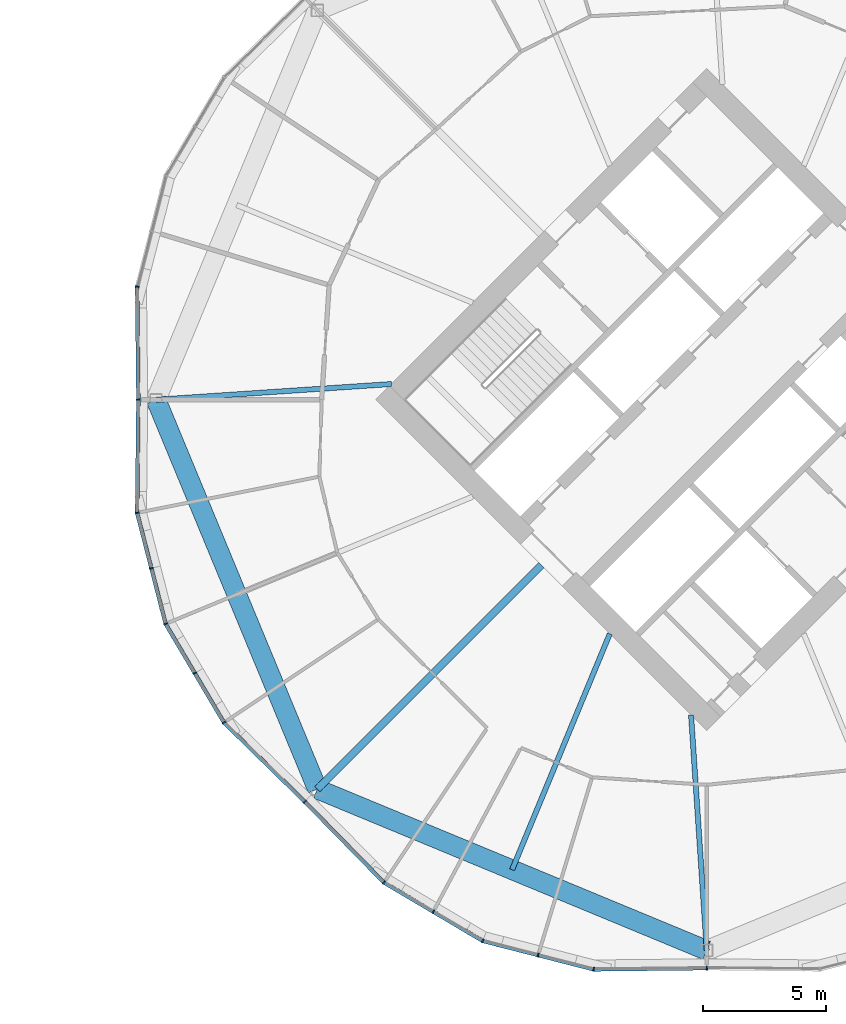
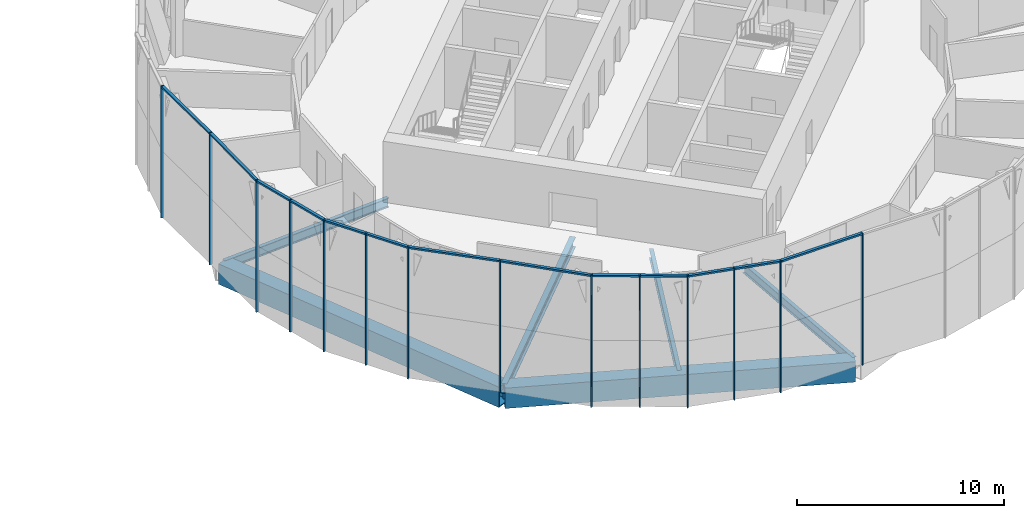
# One storey, part 10 of 27: 27 members, 6 beams, 3 elements without a shape of their own.
"""IFC4 building model written with IfcOpenShell, lengths in metres."""

from ifc_helpers import new_model, si_unit, direction, frame, origin, origin_2d, place, context, subcontext, project, spatial, rectangle, hollow_rectangle, i_section, extrude, material, material_profile, profile_set, type_object, element, aggregate, save


model = new_model("IFC4")

# Units and contexts
model_context = context("Model", 3, precision=1e-05, world=origin(), true_north=direction((0.0, 1.0)))
body_context = subcontext(model_context, "Body", "Model", "MODEL_VIEW")
ifc_project = project(units=[si_unit("LENGTHUNIT", "METRE"), si_unit("AREAUNIT", "SQUARE_METRE"), si_unit("VOLUMEUNIT", "CUBIC_METRE"), si_unit("PLANEANGLEUNIT", "RADIAN"), si_unit("MASSUNIT", "GRAM", prefix="KILO")], contexts=[model_context])

# Site, building, storey
site_placement = place(None, origin())
site = spatial("IfcSite", under=ifc_project, at=site_placement, CompositionType="ELEMENT")
building_placement = place(site_placement, origin())
building = spatial("IfcBuilding", under=site, at=building_placement, Name="Ogive Gate Towers", CompositionType="ELEMENT")
storey_placement = place(building_placement, frame((0.0, 0.0, 123.0)))
storey = spatial("IfcBuildingStorey", under=building, at=storey_placement, Name="L29", CompositionType="ELEMENT", Elevation=123.0)

# Beams
ifc_material_1 = material(Name="Steel SM460", Category="steel")
ifc_material_profile_1 = material_profile(ifc_material_1, hollow_rectangle(XDim=0.800048828125, YDim=1.199951171875, WallThickness=0.050048828125, at=origin_2d()), Name="BX 1200x800x50")
ifc_profile_set_1 = profile_set([ifc_material_profile_1], Name="Steel SM460")
beam_type_1 = type_object("IfcBeamType", Name="Edge girder BX 1200x800x50", PredefinedType="BEAM", material=ifc_profile_set_1)
for number, where, z_axis, x_axis, name in (
    (1, (20.196044921875, -15.803955078125, -0.89990234375), (0.923880978344, -0.382679941797, 0.0), (0.382679941797, 0.923880978344, 0.0), "T2/L29/SBM017"),
    (2, (13.64990234375, 0.0, -0.89990234375), (0.382679941797, -0.923880978344, 0.0), (0.923880978344, 0.382679941797, 0.0), "T2/L29/SBM024"),
):
    element("IfcBeam", number, at=place(storey_placement, frame(where, z_axis=z_axis, x_axis=x_axis)), inside=storey, type_object=beam_type_1, Name=name, PredefinedType="BEAM", context=body_context, shape_type="SweptSolid", body=[
        extrude(hollow_rectangle(XDim=0.800048828125, YDim=1.199951171875, WallThickness=0.050048828125, at=origin_2d()), origin(), (0.0, 0.0, 1.0), 17.10595703125),
    ])
ifc_material_2 = material(Name="Steel SM355", Category="steel")
ifc_material_profile_2 = material_profile(ifc_material_2, i_section(OverallWidth=0.300048828125, OverallDepth=0.590087890625, WebThickness=0.012939453125, FlangeThickness=0.02490234375, FilletRadius=0.027099609375, at=origin_2d()), Name="HE 600 A")
ifc_profile_set_2 = profile_set([ifc_material_profile_2], Name="Steel SM355")
beam_type_2 = type_object("IfcBeamType", Name="Radial floor beam HE 600 A", PredefinedType="BEAM", material=ifc_profile_set_2)
beam_1_placement = place(storey_placement, frame((29.282470703125, -6.717529296875, -0.594970703125), z_axis=(-0.707106781187, -0.707106781187, 0.0), x_axis=(0.707106781187, -0.707106781187, 0.0)))
element("IfcBeam", 3, at=beam_1_placement, inside=storey, type_object=beam_type_2, Name="T2/L29/SBM001", PredefinedType="BEAM", context=body_context, shape_type="SweptSolid", body=[
    extrude(i_section(OverallWidth=0.300048828125, OverallDepth=0.590087890625, WebThickness=0.012939453125, FlangeThickness=0.02490234375, FilletRadius=0.027099609375, at=origin_2d()), origin(), (0.0, 0.0, 1.0), 12.85009765625),
])
ifc_material_profile_3 = material_profile(ifc_material_2, i_section(OverallWidth=0.2099609375, OverallDepth=0.550048828125, WebThickness=0.010986328125, FlangeThickness=0.01708984375, FilletRadius=0.02392578125, at=origin_2d()), Name="IPE 550")
ifc_profile_set_3 = profile_set([ifc_material_profile_3], Name="Steel SM355")
beam_type_3 = type_object("IfcBeamType", Name="Radial floor beam IPE 550", PredefinedType="BEAM", material=ifc_profile_set_3)
beam_2_placement = place(storey_placement, frame((32.06494140625, -9.5, -0.574951171875), z_axis=(-0.382676287498, -0.92388249198, 0.0), x_axis=(0.92388249198, -0.382676287498, 0.0)))
element("IfcBeam", 4, at=beam_2_placement, inside=storey, type_object=beam_type_3, Name="T2/L29/SBM002", PredefinedType="BEAM", context=body_context, shape_type="SweptSolid", body=[
    extrude(i_section(OverallWidth=0.2099609375, OverallDepth=0.550048828125, WebThickness=0.010986328125, FlangeThickness=0.01708984375, FilletRadius=0.02392578125, at=origin_2d()), origin(), (0.0, 0.0, 1.0), 10.365966796875),
])
for number, where, z_axis, x_axis, name in (
    (5, (35.363525390625, -12.798583984375, -0.574951171875), (0.066488541289, -0.997787188672, 0.0), (0.997787188672, 0.066488541289, 0.0), "T2/L29/SBM003"),
    (6, (23.201416015625, 0.636474609375, -0.574951171875), (-0.997787188672, -0.066488541289, 0.0), (0.066488541289, -0.997787188672, 0.0), "T2/L29/SBM015"),
):
    element("IfcBeam", number, at=place(storey_placement, frame(where, z_axis=z_axis, x_axis=x_axis)), inside=storey, type_object=beam_type_3, Name=name, PredefinedType="BEAM", context=body_context, shape_type="SweptSolid", body=[
        extrude(i_section(OverallWidth=0.2099609375, OverallDepth=0.550048828125, WebThickness=0.010986328125, FlangeThickness=0.01708984375, FilletRadius=0.02392578125, at=origin_2d()), origin(), (0.0, 0.0, 1.0), 9.57275390625),
    ])

# Curtain wall, members
ifc_material_3 = material(Name="Pale metal aluminium", Category="aluminium")
curtain_wall_type = type_object("IfcCurtainWallType", Name="Tower unitised wall, low zone", PredefinedType="NOTDEFINED", material=ifc_material_3)
curtain_wall_1_placement = place(storey_placement, origin())
curtain_wall_1 = element("IfcCurtainWall", 7, at=curtain_wall_1_placement, inside=storey, type_object=curtain_wall_type, Name="CW1 T2 ECW06", PredefinedType="NOTDEFINED")
ifc_material_profile_4 = material_profile(ifc_material_3, rectangle(XDim=0.159912109375, YDim=0.06005859375, at=origin_2d()), Name="60 x 160 aluminium box")
ifc_profile_set_4 = profile_set([ifc_material_profile_4], Name="Pale metal aluminium")
member_type_1 = type_object("IfcMemberType", Name="Tower unitised wall, low zone mullion 60 x 160", PredefinedType="MULLION", material=ifc_profile_set_4)
member_1_placement = place(storey_placement, frame((12.929931640625, -0.000244140625, -0.300048828125), z_axis=(0.0, 0.0, 1.0), x_axis=(0.999941453103, 0.010820830182, 0.0)))
member_1 = element("IfcMember", 8, at=member_1_placement, type_object=member_type_1, Name="CW1 mullion", PredefinedType="MULLION", context=body_context, shape_type="SweptSolid", body=[
    extrude(rectangle(XDim=0.159912109375, YDim=0.06005859375, at=origin_2d()), origin(), (0.0, 0.0, 1.0), 7.800048828125),
])
member_2_placement = place(storey_placement, frame((12.880615234375, 4.58935546875, -0.300048828125), z_axis=(0.0, 0.0, 1.0), x_axis=(0.992769917186, -0.12003287687, 0.0)))
member_2 = element("IfcMember", 9, at=member_2_placement, type_object=member_type_1, Name="CW1 mullion", PredefinedType="MULLION", context=body_context, shape_type="SweptSolid", body=[
    extrude(rectangle(XDim=0.159912109375, YDim=0.06005859375, at=origin_2d()), origin(), (0.0, 0.0, 1.0), 7.800048828125),
])

curtain_wall_2_placement = place(storey_placement, origin())
curtain_wall_2 = element("IfcCurtainWall", 10, at=curtain_wall_2_placement, inside=storey, type_object=curtain_wall_type, Name="CW1 T2 ECW07", PredefinedType="NOTDEFINED")
member_3_placement = place(storey_placement, frame((19.687255859375, -16.31298828125, -0.300048828125), z_axis=(0.0, 0.0, 1.0), x_axis=(0.699426373935, 0.714704657494, 0.0)))
member_3 = element("IfcMember", 11, at=member_3_placement, type_object=member_type_1, Name="CW1 mullion", PredefinedType="MULLION", context=body_context, shape_type="SweptSolid", body=[
    extrude(rectangle(XDim=0.159912109375, YDim=0.06005859375, at=origin_2d()), origin(), (0.0, 0.0, 1.0), 7.800048828125),
])
member_4_placement = place(storey_placement, frame((16.406982421875, -13.102783203125, -0.300048828125), z_axis=(0.0, 0.0, 1.0), x_axis=(0.786870401801, 0.6171182794, 0.0)))
member_4 = element("IfcMember", 12, at=member_4_placement, type_object=member_type_1, Name="CW1 mullion", PredefinedType="MULLION", context=body_context, shape_type="SweptSolid", body=[
    extrude(rectangle(XDim=0.159912109375, YDim=0.06005859375, at=origin_2d()), origin(), (0.0, 0.0, 1.0), 7.800048828125),
])
member_5_placement = place(storey_placement, frame((15.22265625, -11.099853515625, -0.300048828125), z_axis=(0.0, 0.0, 1.0), x_axis=(0.860795328977, 0.508951276265, 0.0)))
member_5 = element("IfcMember", 13, at=member_5_placement, type_object=member_type_1, Name="CW1 mullion", PredefinedType="MULLION", context=body_context, shape_type="SweptSolid", body=[
    extrude(rectangle(XDim=0.159912109375, YDim=0.06005859375, at=origin_2d()), origin(), (0.0, 0.0, 1.0), 7.800048828125),
])
member_6_placement = place(storey_placement, frame((14.038330078125, -9.0966796875, -0.300048828125), z_axis=(0.0, 0.0, 1.0), x_axis=(0.923879532511, 0.382683432365, 0.0)))
member_6 = element("IfcMember", 14, at=member_6_placement, type_object=member_type_1, Name="CW1 mullion", PredefinedType="MULLION", context=body_context, shape_type="SweptSolid", body=[
    extrude(rectangle(XDim=0.159912109375, YDim=0.06005859375, at=origin_2d()), origin(), (0.0, 0.0, 1.0), 7.800048828125),
])
member_7_placement = place(storey_placement, frame((13.459228515625, -6.843017578125, -0.300048828125), z_axis=(0.0, 0.0, 1.0), x_axis=(0.968552770699, 0.248808220065, 0.0)))
member_7 = element("IfcMember", 15, at=member_7_placement, type_object=member_type_1, Name="CW1 mullion", PredefinedType="MULLION", context=body_context, shape_type="SweptSolid", body=[
    extrude(rectangle(XDim=0.159912109375, YDim=0.06005859375, at=origin_2d()), origin(), (0.0, 0.0, 1.0), 7.800048828125),
])
member_8_placement = place(storey_placement, frame((12.880615234375, -4.58935546875, -0.300048828125), z_axis=(0.0, 0.0, 1.0), x_axis=(0.992769917186, 0.12003287687, 0.0)))
member_8 = element("IfcMember", 16, at=member_8_placement, type_object=member_type_1, Name="CW1 mullion", PredefinedType="MULLION", context=body_context, shape_type="SweptSolid", body=[
    extrude(rectangle(XDim=0.159912109375, YDim=0.06005859375, at=origin_2d()), origin(), (0.0, 0.0, 1.0), 7.800048828125),
])

curtain_wall_3_placement = place(storey_placement, origin())
curtain_wall_3 = element("IfcCurtainWall", 17, at=curtain_wall_3_placement, inside=storey, type_object=curtain_wall_type, Name="CW1 T2 ECW08", PredefinedType="NOTDEFINED")
member_9_placement = place(storey_placement, frame((36.000244140625, -23.070068359375, -0.300048828125), z_axis=(0.0, 0.0, 1.0), x_axis=(-0.010820830182, 0.999941453103, 0.0)))
member_9 = element("IfcMember", 18, at=member_9_placement, type_object=member_type_1, Name="CW1 mullion", PredefinedType="MULLION", context=body_context, shape_type="SweptSolid", body=[
    extrude(rectangle(XDim=0.159912109375, YDim=0.06005859375, at=origin_2d()), origin(), (0.0, 0.0, 1.0), 7.800048828125),
])
member_10_placement = place(storey_placement, frame((31.41064453125, -23.119384765625, -0.300048828125), z_axis=(0.0, 0.0, 1.0), x_axis=(0.12003287687, 0.992769917186, 0.0)))
member_10 = element("IfcMember", 19, at=member_10_placement, type_object=member_type_1, Name="CW1 mullion", PredefinedType="MULLION", context=body_context, shape_type="SweptSolid", body=[
    extrude(rectangle(XDim=0.159912109375, YDim=0.06005859375, at=origin_2d()), origin(), (0.0, 0.0, 1.0), 7.800048828125),
])
member_11_placement = place(storey_placement, frame((29.156982421875, -22.540771484375, -0.300048828125), z_axis=(0.0, 0.0, 1.0), x_axis=(0.248808220065, 0.968552770699, 0.0)))
member_11 = element("IfcMember", 20, at=member_11_placement, type_object=member_type_1, Name="CW1 mullion", PredefinedType="MULLION", context=body_context, shape_type="SweptSolid", body=[
    extrude(rectangle(XDim=0.159912109375, YDim=0.06005859375, at=origin_2d()), origin(), (0.0, 0.0, 1.0), 7.800048828125),
])
member_12_placement = place(storey_placement, frame((26.9033203125, -21.961669921875, -0.300048828125), z_axis=(0.0, 0.0, 1.0), x_axis=(0.382683432365, 0.923879532511, 0.0)))
member_12 = element("IfcMember", 21, at=member_12_placement, type_object=member_type_1, Name="CW1 mullion", PredefinedType="MULLION", context=body_context, shape_type="SweptSolid", body=[
    extrude(rectangle(XDim=0.159912109375, YDim=0.06005859375, at=origin_2d()), origin(), (0.0, 0.0, 1.0), 7.800048828125),
])
member_13_placement = place(storey_placement, frame((24.900146484375, -20.77734375, -0.300048828125), z_axis=(0.0, 0.0, 1.0), x_axis=(0.508951276265, 0.860795328977, 0.0)))
member_13 = element("IfcMember", 22, at=member_13_placement, type_object=member_type_1, Name="CW1 mullion", PredefinedType="MULLION", context=body_context, shape_type="SweptSolid", body=[
    extrude(rectangle(XDim=0.159912109375, YDim=0.06005859375, at=origin_2d()), origin(), (0.0, 0.0, 1.0), 7.800048828125),
])
member_14_placement = place(storey_placement, frame((22.897216796875, -19.593017578125, -0.300048828125), z_axis=(0.0, 0.0, 1.0), x_axis=(0.6171182794, 0.786870401801, 0.0)))
member_14 = element("IfcMember", 23, at=member_14_placement, type_object=member_type_1, Name="CW1 mullion", PredefinedType="MULLION", context=body_context, shape_type="SweptSolid", body=[
    extrude(rectangle(XDim=0.159912109375, YDim=0.06005859375, at=origin_2d()), origin(), (0.0, 0.0, 1.0), 7.800048828125),
])

# Member
ifc_material_profile_5 = material_profile(ifc_material_3, rectangle(XDim=0.159912109375, YDim=0.10009765625, at=origin_2d()), Name="100 x 160 aluminium box")
ifc_profile_set_5 = profile_set([ifc_material_profile_5], Name="Pale metal aluminium")
member_type_2 = type_object("IfcMemberType", Name="Tower unitised wall, low zone transom 100 x 160", PredefinedType="USERDEFINED", material=ifc_profile_set_5)
member_15_placement = place(storey_placement, frame((12.9296875, 0.02978515625, 7.449951171875), z_axis=(-0.01083903319, 0.999941255954, 0.0), x_axis=(-0.999941255954, -0.01083903319, 0.0)))
member_15 = element("IfcMember", 24, at=member_15_placement, type_object=member_type_2, Name="CW1 transom", ObjectType="TRANSOM", PredefinedType="USERDEFINED", context=body_context, shape_type="SweptSolid", body=[
    extrude(rectangle(XDim=0.159912109375, YDim=0.10009765625, at=origin_2d()), origin(), (0.0, 0.0, 1.0), 4.52734375),
])

aggregate(curtain_wall_1, [member_1, member_2, member_15])

member_16_placement = place(storey_placement, frame((19.665771484375, -16.2919921875, 7.449951171875), z_axis=(-0.714723254105, 0.699407370594, 0.0), x_axis=(-0.699407370594, -0.714723254105, 0.0)))
member_16 = element("IfcMember", 25, at=member_16_placement, type_object=member_type_2, Name="CW1 transom", ObjectType="TRANSOM", PredefinedType="USERDEFINED", context=body_context, shape_type="SweptSolid", body=[
    extrude(rectangle(XDim=0.159912109375, YDim=0.10009765625, at=origin_2d()), origin(), (0.0, 0.0, 1.0), 4.527099609375),
])

member_17_placement = place(storey_placement, frame((16.39013671875, -13.07470703125, 7.449951171875), z_axis=(-0.508950897041, 0.860795553195, 0.0), x_axis=(-0.860795553195, -0.508950897041, 0.0)))
member_17 = element("IfcMember", 26, at=member_17_placement, type_object=member_type_2, Name="CW1 transom", ObjectType="TRANSOM", PredefinedType="USERDEFINED", context=body_context, shape_type="SweptSolid", body=[
    extrude(rectangle(XDim=0.159912109375, YDim=0.10009765625, at=origin_2d()), origin(), (0.0, 0.0, 1.0), 2.26416015625),
])

member_18_placement = place(storey_placement, frame((15.207275390625, -11.07421875, 7.449951171875), z_axis=(-0.508903660671, 0.860823480254, 0.0), x_axis=(-0.860823480254, -0.508903660671, 0.0)))
member_18 = element("IfcMember", 27, at=member_18_placement, type_object=member_type_2, Name="CW1 transom", ObjectType="TRANSOM", PredefinedType="USERDEFINED", context=body_context, shape_type="SweptSolid", body=[
    extrude(rectangle(XDim=0.159912109375, YDim=0.10009765625, at=origin_2d()), origin(), (0.0, 0.0, 1.0), 2.264404296875),
])

member_19_placement = place(storey_placement, frame((14.030029296875, -9.06494140625, 7.449951171875), z_axis=(-0.248772271731, 0.968562004633, 0.0), x_axis=(-0.968562004633, -0.248772271731, 0.0)))
member_19 = element("IfcMember", 28, at=member_19_placement, type_object=member_type_2, Name="CW1 transom", ObjectType="TRANSOM", PredefinedType="USERDEFINED", context=body_context, shape_type="SweptSolid", body=[
    extrude(rectangle(XDim=0.159912109375, YDim=0.10009765625, at=origin_2d()), origin(), (0.0, 0.0, 1.0), 2.26416015625),
])

member_20_placement = place(storey_placement, frame((13.451904296875, -6.81396484375, 7.449951171875), z_axis=(-0.248873427756, 0.968536017377, 0.0), x_axis=(-0.968536017377, -0.248873427756, 0.0)))
member_20 = element("IfcMember", 29, at=member_20_placement, type_object=member_type_2, Name="CW1 transom", ObjectType="TRANSOM", PredefinedType="USERDEFINED", context=body_context, shape_type="SweptSolid", body=[
    extrude(rectangle(XDim=0.159912109375, YDim=0.10009765625, at=origin_2d()), origin(), (0.0, 0.0, 1.0), 2.26416015625),
])

member_21_placement = place(storey_placement, frame((12.880615234375, -4.556884765625, 7.449951171875), z_axis=(0.01083903319, 0.999941255954, 0.0), x_axis=(-0.999941255954, 0.01083903319, 0.0)))
member_21 = element("IfcMember", 30, at=member_21_placement, type_object=member_type_2, Name="CW1 transom", ObjectType="TRANSOM", PredefinedType="USERDEFINED", context=body_context, shape_type="SweptSolid", body=[
    extrude(rectangle(XDim=0.159912109375, YDim=0.10009765625, at=origin_2d()), origin(), (0.0, 0.0, 1.0), 4.52734375),
])

aggregate(curtain_wall_2, [member_3, member_4, member_16, member_5, member_17, member_6, member_18, member_7, member_19, member_8, member_20, member_21])

member_22_placement = place(storey_placement, frame((35.97021484375, -23.0703125, 7.449951171875), z_axis=(-0.999941255954, -0.01083903319, 0.0), x_axis=(0.01083903319, -0.999941255954, 0.0)))
member_22 = element("IfcMember", 31, at=member_22_placement, type_object=member_type_2, Name="CW1 transom", ObjectType="TRANSOM", PredefinedType="USERDEFINED", context=body_context, shape_type="SweptSolid", body=[
    extrude(rectangle(XDim=0.159912109375, YDim=0.10009765625, at=origin_2d()), origin(), (0.0, 0.0, 1.0), 4.52734375),
])

member_23_placement = place(storey_placement, frame((31.37890625, -23.111572265625, 7.449951171875), z_axis=(-0.968536017377, 0.248873427756, 0.0), x_axis=(-0.248873427756, -0.968536017377, 0.0)))
member_23 = element("IfcMember", 32, at=member_23_placement, type_object=member_type_2, Name="CW1 transom", ObjectType="TRANSOM", PredefinedType="USERDEFINED", context=body_context, shape_type="SweptSolid", body=[
    extrude(rectangle(XDim=0.159912109375, YDim=0.10009765625, at=origin_2d()), origin(), (0.0, 0.0, 1.0), 2.26416015625),
])

member_24_placement = place(storey_placement, frame((29.1279296875, -22.533203125, 7.449951171875), z_axis=(-0.968562004633, 0.248772271731, 0.0), x_axis=(-0.248772271731, -0.968562004633, 0.0)))
member_24 = element("IfcMember", 33, at=member_24_placement, type_object=member_type_2, Name="CW1 transom", ObjectType="TRANSOM", PredefinedType="USERDEFINED", context=body_context, shape_type="SweptSolid", body=[
    extrude(rectangle(XDim=0.159912109375, YDim=0.10009765625, at=origin_2d()), origin(), (0.0, 0.0, 1.0), 2.26416015625),
])

member_25_placement = place(storey_placement, frame((26.875, -21.945068359375, 7.449951171875), z_axis=(-0.860823480254, 0.508903660671, 0.0), x_axis=(-0.508903660671, -0.860823480254, 0.0)))
member_25 = element("IfcMember", 34, at=member_25_placement, type_object=member_type_2, Name="CW1 transom", ObjectType="TRANSOM", PredefinedType="USERDEFINED", context=body_context, shape_type="SweptSolid", body=[
    extrude(rectangle(XDim=0.159912109375, YDim=0.10009765625, at=origin_2d()), origin(), (0.0, 0.0, 1.0), 2.264404296875),
])

member_26_placement = place(storey_placement, frame((24.874267578125, -20.76220703125, 7.449951171875), z_axis=(-0.860795553195, 0.508950897041, 0.0), x_axis=(-0.508950897041, -0.860795553195, 0.0)))
member_26 = element("IfcMember", 35, at=member_26_placement, type_object=member_type_2, Name="CW1 transom", ObjectType="TRANSOM", PredefinedType="USERDEFINED", context=body_context, shape_type="SweptSolid", body=[
    extrude(rectangle(XDim=0.159912109375, YDim=0.10009765625, at=origin_2d()), origin(), (0.0, 0.0, 1.0), 2.26416015625),
])

member_27_placement = place(storey_placement, frame((22.874267578125, -19.56982421875, 7.449951171875), z_axis=(-0.699407370594, 0.714723254105, 0.0), x_axis=(-0.714723254105, -0.699407370594, 0.0)))
member_27 = element("IfcMember", 36, at=member_27_placement, type_object=member_type_2, Name="CW1 transom", ObjectType="TRANSOM", PredefinedType="USERDEFINED", context=body_context, shape_type="SweptSolid", body=[
    extrude(rectangle(XDim=0.159912109375, YDim=0.10009765625, at=origin_2d()), origin(), (0.0, 0.0, 1.0), 4.527099609375),
])

aggregate(curtain_wall_3, [member_9, member_10, member_22, member_11, member_23, member_12, member_24, member_13, member_25, member_14, member_26, member_27])

save(model, "model.ifc")
